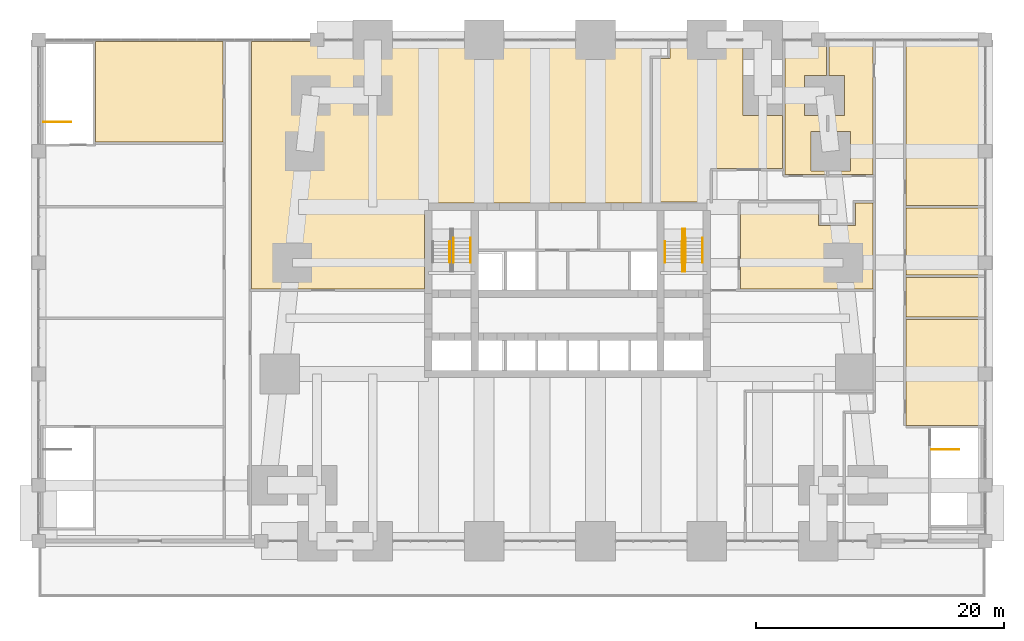
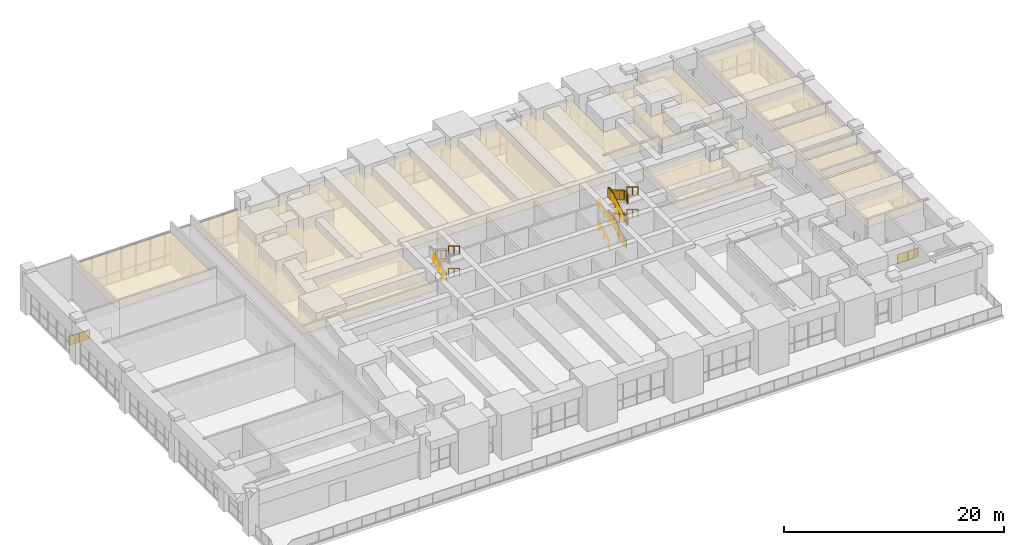
# One storey, part 22 of 22: 19 railings, 10 coverings.
"""IFC4 building model written with IfcOpenShell, lengths in metres."""

from ifc_helpers import new_model, si_unit, direction, frame, origin, origin_2d, place, context, subcontext, project, spatial, polyline, circle, outline, extrude, material, layer, layer_set, type_object, element, save


model = new_model("IFC4")

# Units and contexts
model_context = context("Model", 3, precision=1e-05, world=origin(), true_north=direction((0.0, 1.0)))
body_context = subcontext(model_context, "Body", "Model", "MODEL_VIEW")
ifc_project = project(units=[si_unit("LENGTHUNIT", "METRE"), si_unit("AREAUNIT", "SQUARE_METRE"), si_unit("VOLUMEUNIT", "CUBIC_METRE"), si_unit("PLANEANGLEUNIT", "RADIAN"), si_unit("MASSUNIT", "GRAM", prefix="KILO")], contexts=[model_context])

# Site, building, storey
site_placement = place(None, origin())
site = spatial("IfcSite", under=ifc_project, at=site_placement, CompositionType="ELEMENT")
building_placement = place(site_placement, origin())
building = spatial("IfcBuilding", under=site, at=building_placement, Name="Kilele Tower Hotel", CompositionType="ELEMENT")
storey_placement = place(building_placement, frame((0.0, 0.0, 19.0)))
storey = spatial("IfcBuildingStorey", under=building, at=storey_placement, Name="L03", CompositionType="ELEMENT", Elevation=19.0)

# Railings
ifc_material_1 = material(Name="Steel handrail", Category="steel")
railing_type_1 = type_object("IfcRailingType", Name="Handrail 900", PredefinedType="HANDRAIL", material=ifc_material_1)
for number, where, name in (
    (1, (15.52490234375, 24.47998046875, 1.333251953125), "Handrail ST1 flight 2"),
    (2, (16.89990234375, 24.47998046875, 1.333251953125), "Handrail ST1 flight 2"),
):
    element("IfcRailing", number, at=place(storey_placement, frame(where)), inside=storey, type_object=railing_type_1, Name=name, PredefinedType="HANDRAIL", context=body_context, shape_type="SweptSolid", body=[
        extrude(circle(Radius=0.02490234375, at=origin_2d()), frame((0.0, 0.0, 0.875), z_axis=(0.0, -0.859272722373, 0.511517730471), x_axis=(1.0, 0.0, 0.0)), (0.0, 0.0, 1.0), 2.281005859375),
        extrude(circle(Radius=0.02001953125, at=origin_2d()), origin(), (0.0, 0.0, 1.0), 0.849853515625),
        extrude(circle(Radius=0.02001953125, at=origin_2d()), frame((0.0, -0.97998046875, 0.58349609375)), (0.0, 0.0, 1.0), 0.849853515625),
        extrude(circle(Radius=0.02001953125, at=origin_2d()), frame((0.0, -1.9599609375, 1.166748046875)), (0.0, 0.0, 1.0), 0.849853515625),
    ])
railing_1_placement = place(storey_placement, frame((15.22509765625, 22.52001953125, 2.666748046875)))
element("IfcRailing", 3, at=railing_1_placement, inside=storey, type_object=railing_type_1, Name="Handrail ST1 flight 3", PredefinedType="HANDRAIL", context=body_context, shape_type="SweptSolid", body=[
    extrude(circle(Radius=0.02490234375, at=origin_2d()), frame((0.0, 0.0, 0.875), z_axis=(0.0, 0.859283736677, 0.511499227646), x_axis=(-1.0, 0.0, 0.0)), (0.0, 0.0, 1.0), 1.955078125),
    extrude(circle(Radius=0.02001953125, at=origin_2d()), origin(), (0.0, 0.0, 1.0), 0.849853515625),
    extrude(circle(Radius=0.02001953125, at=origin_2d()), frame((0.0, 0.83984375, 0.5)), (0.0, 0.0, 1.0), 0.849853515625),
    extrude(circle(Radius=0.02001953125, at=origin_2d()), frame((0.0, 1.679931640625, 1.0)), (0.0, 0.0, 1.0), 0.849853515625),
])
for number, where, name in (
    (4, (15.52490234375, 24.47998046875, 3.833251953125), "Handrail ST1 flight 4"),
    (5, (16.89990234375, 24.47998046875, 3.833251953125), "Handrail ST1 flight 4"),
):
    element("IfcRailing", number, at=place(storey_placement, frame(where)), inside=storey, type_object=railing_type_1, Name=name, PredefinedType="HANDRAIL", context=body_context, shape_type="SweptSolid", body=[
        extrude(circle(Radius=0.02490234375, at=origin_2d()), frame((0.0, 0.0, 0.875), z_axis=(0.0, -0.859272722373, 0.511517730471), x_axis=(1.0, 0.0, 0.0)), (0.0, 0.0, 1.0), 2.281005859375),
        extrude(circle(Radius=0.02001953125, at=origin_2d()), origin(), (0.0, 0.0, 1.0), 0.849853515625),
        extrude(circle(Radius=0.02001953125, at=origin_2d()), frame((0.0, -0.97998046875, 0.58349609375)), (0.0, 0.0, 1.0), 0.849853515625),
        extrude(circle(Radius=0.02001953125, at=origin_2d()), frame((0.0, -1.9599609375, 1.166748046875)), (0.0, 0.0, 1.0), 0.849853515625),
    ])
for number, where, name in (
    (6, (32.60009765625, 22.52001953125, 0.166748046875), "Handrail ST2 flight 1"),
    (7, (33.97509765625, 22.52001953125, 0.166748046875), "Handrail ST2 flight 1"),
):
    element("IfcRailing", number, at=place(storey_placement, frame(where)), inside=storey, type_object=railing_type_1, Name=name, PredefinedType="HANDRAIL", context=body_context, shape_type="SweptSolid", body=[
        extrude(circle(Radius=0.02490234375, at=origin_2d()), frame((0.0, 0.0, 0.875), z_axis=(0.0, 0.859283736677, 0.511499227646), x_axis=(-1.0, 0.0, 0.0)), (0.0, 0.0, 1.0), 1.955078125),
        extrude(circle(Radius=0.02001953125, at=origin_2d()), origin(), (0.0, 0.0, 1.0), 0.849853515625),
        extrude(circle(Radius=0.02001953125, at=origin_2d()), frame((0.0, 0.83984375, 0.5)), (0.0, 0.0, 1.0), 0.849853515625),
        extrude(circle(Radius=0.02001953125, at=origin_2d()), frame((0.0, 1.679931640625, 1.0)), (0.0, 0.0, 1.0), 0.849853515625),
    ])
for number, where, name in (
    (8, (34.27490234375, 24.47998046875, 1.333251953125), "Handrail ST2 flight 2"),
    (9, (35.64990234375, 24.47998046875, 1.333251953125), "Handrail ST2 flight 2"),
):
    element("IfcRailing", number, at=place(storey_placement, frame(where)), inside=storey, type_object=railing_type_1, Name=name, PredefinedType="HANDRAIL", context=body_context, shape_type="SweptSolid", body=[
        extrude(circle(Radius=0.02490234375, at=origin_2d()), frame((0.0, 0.0, 0.875), z_axis=(0.0, -0.859272722373, 0.511517730471), x_axis=(1.0, 0.0, 0.0)), (0.0, 0.0, 1.0), 2.281005859375),
        extrude(circle(Radius=0.02001953125, at=origin_2d()), origin(), (0.0, 0.0, 1.0), 0.849853515625),
        extrude(circle(Radius=0.02001953125, at=origin_2d()), frame((0.0, -0.97998046875, 0.58349609375)), (0.0, 0.0, 1.0), 0.849853515625),
        extrude(circle(Radius=0.02001953125, at=origin_2d()), frame((0.0, -1.9599609375, 1.166748046875)), (0.0, 0.0, 1.0), 0.849853515625),
    ])
for number, where, name in (
    (10, (32.60009765625, 22.52001953125, 2.666748046875), "Handrail ST2 flight 3"),
    (11, (33.97509765625, 22.52001953125, 2.666748046875), "Handrail ST2 flight 3"),
):
    element("IfcRailing", number, at=place(storey_placement, frame(where)), inside=storey, type_object=railing_type_1, Name=name, PredefinedType="HANDRAIL", context=body_context, shape_type="SweptSolid", body=[
        extrude(circle(Radius=0.02490234375, at=origin_2d()), frame((0.0, 0.0, 0.875), z_axis=(0.0, 0.859283736677, 0.511499227646), x_axis=(-1.0, 0.0, 0.0)), (0.0, 0.0, 1.0), 1.955078125),
        extrude(circle(Radius=0.02001953125, at=origin_2d()), origin(), (0.0, 0.0, 1.0), 0.849853515625),
        extrude(circle(Radius=0.02001953125, at=origin_2d()), frame((0.0, 0.83984375, 0.5)), (0.0, 0.0, 1.0), 0.849853515625),
        extrude(circle(Radius=0.02001953125, at=origin_2d()), frame((0.0, 1.679931640625, 1.0)), (0.0, 0.0, 1.0), 0.849853515625),
    ])
for number, where, name in (
    (12, (34.27490234375, 24.47998046875, 3.833251953125), "Handrail ST2 flight 4"),
    (13, (35.64990234375, 24.47998046875, 3.833251953125), "Handrail ST2 flight 4"),
):
    element("IfcRailing", number, at=place(storey_placement, frame(where)), inside=storey, type_object=railing_type_1, Name=name, PredefinedType="HANDRAIL", context=body_context, shape_type="SweptSolid", body=[
        extrude(circle(Radius=0.02490234375, at=origin_2d()), frame((0.0, 0.0, 0.875), z_axis=(0.0, -0.859272722373, 0.511517730471), x_axis=(1.0, 0.0, 0.0)), (0.0, 0.0, 1.0), 2.281005859375),
        extrude(circle(Radius=0.02001953125, at=origin_2d()), origin(), (0.0, 0.0, 1.0), 0.849853515625),
        extrude(circle(Radius=0.02001953125, at=origin_2d()), frame((0.0, -0.97998046875, 0.58349609375)), (0.0, 0.0, 1.0), 0.849853515625),
        extrude(circle(Radius=0.02001953125, at=origin_2d()), frame((0.0, -1.9599609375, 1.166748046875)), (0.0, 0.0, 1.0), 0.849853515625),
    ])
ifc_material_2 = material(Name="Steel guard", Category="steel")
railing_type_2 = type_object("IfcRailingType", Name="Stair guard 1100", PredefinedType="GUARDRAIL", material=ifc_material_2)
for number, where, name in (
    (14, (-17.60009765625, 33.85009765625, 0.0), "Stair guard ST3"),
    (15, (54.14990234375, 7.39990234375, 0.0), "Stair guard ST5"),
):
    element("IfcRailing", number, at=place(storey_placement, frame(where)), inside=storey, type_object=railing_type_2, Name=name, PredefinedType="GUARDRAIL", context=body_context, shape_type="SweptSolid", body=[
        extrude(circle(Radius=0.02490234375, at=origin_2d()), frame((0.0, 0.0, 1.0751953125), z_axis=(1.0, 0.0, 0.0), x_axis=(0.0, 1.0, 0.0)), (0.0, 0.0, 1.0), 2.2001953125),
        extrude(circle(Radius=0.02490234375, at=origin_2d()), origin(), (0.0, 0.0, 1.0), 1.050048828125),
        extrude(circle(Radius=0.02490234375, at=origin_2d()), frame((1.10009765625, 0.0, 0.0)), (0.0, 0.0, 1.0), 1.050048828125),
        extrude(circle(Radius=0.02490234375, at=origin_2d()), frame((2.2001953125, 0.0, 0.0)), (0.0, 0.0, 1.0), 1.050048828125),
        extrude(outline(polyline([(0.0, 0.030029296875), (2.2001953125, 0.030029296875), (2.2001953125, 1.050048828125), (0.0, 1.050048828125), (0.0, 0.030029296875)])), frame((0.0, 0.005859375, 0.0), z_axis=(0.0, -1.0, 0.0), x_axis=(1.0, 0.0, 0.0)), (0.0, 0.0, 1.0), 0.011962890625),
    ])
railing_2_placement = place(storey_placement, frame((34.034912109375, 21.77490234375, 0.0)))
element("IfcRailing", 16, at=railing_2_placement, inside=storey, type_object=railing_type_2, Name="Stair well guard ST2 flight 1", PredefinedType="GUARDRAIL", context=body_context, shape_type="SweptSolid", body=[
    extrude(circle(Radius=0.02490234375, at=origin_2d()), frame((0.0, 0.0, 1.0751953125), z_axis=(0.0, 1.0, 0.0), x_axis=(-1.0, 0.0, 0.0)), (0.0, 0.0, 1.0), 0.465087890625),
    extrude(circle(Radius=0.02490234375, at=origin_2d()), frame((0.0, 0.465087890625, 1.0751953125), z_axis=(0.0, 0.859272722373, 0.511517730471), x_axis=(-1.0, 0.0, 0.0)), (0.0, 0.0, 1.0), 2.281005859375),
    extrude(circle(Radius=0.02490234375, at=origin_2d()), frame((0.0, 2.425048828125, 2.24169921875), z_axis=(0.0, 1.0, 0.0), x_axis=(-1.0, 0.0, 0.0)), (0.0, 0.0, 1.0), 1.025146484375),
    extrude(circle(Radius=0.02490234375, at=origin_2d()), frame((0.0, 3.4501953125, 2.24169921875), z_axis=(1.0, 0.0, 0.0), x_axis=(0.0, 1.0, 0.0)), (0.0, 0.0, 1.0), 0.18017578125),
    extrude(circle(Radius=0.02490234375, at=origin_2d()), origin(), (0.0, 0.0, 1.0), 1.050048828125),
    extrude(circle(Radius=0.02490234375, at=origin_2d()), frame((0.0, 0.465087890625, 0.0)), (0.0, 0.0, 1.0), 1.050048828125),
    extrude(circle(Radius=0.02490234375, at=origin_2d()), frame((0.0, 1.445068359375, 0.58349609375)), (0.0, 0.0, 1.0), 1.050048828125),
    extrude(circle(Radius=0.02490234375, at=origin_2d()), frame((0.0, 2.425048828125, 1.166748046875)), (0.0, 0.0, 1.0), 1.050048828125),
    extrude(circle(Radius=0.02490234375, at=origin_2d()), frame((0.0, 3.4501953125, 1.166748046875)), (0.0, 0.0, 1.0), 1.050048828125),
    extrude(circle(Radius=0.02490234375, at=origin_2d()), frame((0.18017578125, 3.4501953125, 1.166748046875)), (0.0, 0.0, 1.0), 1.050048828125),
    extrude(outline(polyline([(0.0, 0.030029296875), (0.45263671875, 0.030029296875), (0.45263671875, 1.050048828125), (0.0, 1.050048828125), (0.0, 0.030029296875)])), frame((-0.005859375, 0.0, 0.0), z_axis=(1.0, 0.0, 0.0), x_axis=(0.0, 1.0, 0.0)), (0.0, 0.0, 1.0), 0.011962890625),
    extrude(outline(polyline([(0.012451171875, 0.030029296875), (0.25, 0.030029296875), (0.25, 0.19677734375), (0.530029296875, 0.19677734375), (0.530029296875, 0.36328125), (0.81005859375, 0.36328125), (0.81005859375, 0.530029296875), (1.08984375, 0.530029296875), (1.08984375, 0.69677734375), (1.369873046875, 0.69677734375), (1.369873046875, 0.863525390625), (1.64990234375, 0.863525390625), (1.64990234375, 1.030029296875), (1.929931640625, 1.030029296875), (1.929931640625, 1.19677734375), (1.947509765625, 1.19677734375), (1.947509765625, 2.205322265625), (0.012451171875, 1.053466796875), (0.012451171875, 0.030029296875)])), frame((-0.005859375, 0.465087890625, 0.0), z_axis=(1.0, 0.0, 0.0), x_axis=(0.0, 1.0, 0.0)), (0.0, 0.0, 1.0), 0.011962890625),
    extrude(outline(polyline([(0.012451171875, 0.030029296875), (1.0126953125, 0.030029296875), (1.0126953125, 1.050048828125), (0.012451171875, 1.050048828125), (0.012451171875, 0.030029296875)])), frame((-0.005859375, 2.425048828125, 1.166748046875), z_axis=(1.0, 0.0, 0.0), x_axis=(0.0, 1.0, 0.0)), (0.0, 0.0, 1.0), 0.011962890625),
    extrude(outline(polyline([(0.012451171875, 0.030029296875), (0.18017578125, 0.030029296875), (0.18017578125, 1.050048828125), (0.012451171875, 1.050048828125), (0.012451171875, 0.030029296875)])), frame((0.0, 3.4560546875, 1.166748046875), z_axis=(0.0, -1.0, 0.0), x_axis=(1.0, 0.0, 0.0)), (0.0, 0.0, 1.0), 0.011962890625),
])
railing_3_placement = place(storey_placement, frame((34.215087890625, 25.22509765625, 1.166748046875)))
element("IfcRailing", 17, at=railing_3_placement, inside=storey, type_object=railing_type_2, Name="Stair well guard ST2 flight 2", PredefinedType="GUARDRAIL", context=body_context, shape_type="SweptSolid", body=[
    extrude(circle(Radius=0.02490234375, at=origin_2d()), frame((0.0, 0.0, 1.0751953125), z_axis=(0.0, -1.0, 0.0), x_axis=(1.0, 0.0, 0.0)), (0.0, 0.0, 1.0), 0.465087890625),
    extrude(circle(Radius=0.02490234375, at=origin_2d()), frame((0.0, -0.465087890625, 1.0751953125), z_axis=(0.0, -0.859305625298, 0.511462454469), x_axis=(1.0, 0.0, 0.0)), (0.0, 0.0, 1.0), 2.606689453125),
    extrude(circle(Radius=0.02490234375, at=origin_2d()), frame((0.0, -2.705078125, 2.408203125), z_axis=(0.0, -1.0, 0.0), x_axis=(1.0, 0.0, 0.0)), (0.0, 0.0, 1.0), 0.7451171875),
    extrude(circle(Radius=0.02490234375, at=origin_2d()), frame((0.0, -3.4501953125, 2.408203125), z_axis=(-1.0, 0.0, 0.0), x_axis=(0.0, -1.0, 0.0)), (0.0, 0.0, 1.0), 0.18017578125),
    extrude(circle(Radius=0.02490234375, at=origin_2d()), origin(), (0.0, 0.0, 1.0), 1.050048828125),
    extrude(circle(Radius=0.02490234375, at=origin_2d()), frame((0.0, -0.465087890625, 0.0)), (0.0, 0.0, 1.0), 1.050048828125),
    extrude(circle(Radius=0.02490234375, at=origin_2d()), frame((0.0, -1.211669921875, 0.4443359375)), (0.0, 0.0, 1.0), 1.050048828125),
    extrude(circle(Radius=0.02490234375, at=origin_2d()), frame((0.0, -1.95849609375, 0.888916015625)), (0.0, 0.0, 1.0), 1.050048828125),
    extrude(circle(Radius=0.02490234375, at=origin_2d()), frame((0.0, -2.705078125, 1.333251953125)), (0.0, 0.0, 1.0), 1.050048828125),
    extrude(circle(Radius=0.02490234375, at=origin_2d()), frame((0.0, -3.4501953125, 1.333251953125)), (0.0, 0.0, 1.0), 1.050048828125),
    extrude(circle(Radius=0.02490234375, at=origin_2d()), frame((-0.18017578125, -3.4501953125, 1.333251953125)), (0.0, 0.0, 1.0), 1.050048828125),
    extrude(outline(polyline([(0.0, 0.030029296875), (0.45263671875, 0.030029296875), (0.45263671875, 1.050048828125), (0.0, 1.050048828125), (0.0, 0.030029296875)])), frame((0.005859375, 0.0, 0.0), z_axis=(-1.0, 0.0, 0.0), x_axis=(0.0, -1.0, 0.0)), (0.0, 0.0, 1.0), 0.011962890625),
    extrude(outline(polyline([(0.012451171875, 0.030029296875), (0.25, 0.030029296875), (0.25, 0.19677734375), (0.530029296875, 0.19677734375), (0.530029296875, 0.36328125), (0.81005859375, 0.36328125), (0.81005859375, 0.530029296875), (1.08984375, 0.530029296875), (1.08984375, 0.69677734375), (1.369873046875, 0.69677734375), (1.369873046875, 0.86328125), (1.64990234375, 0.86328125), (1.64990234375, 1.030029296875), (1.929931640625, 1.030029296875), (1.929931640625, 1.196533203125), (2.2099609375, 1.196533203125), (2.2099609375, 1.36328125), (2.2275390625, 1.36328125), (2.2275390625, 2.371826171875), (0.012451171875, 1.053466796875), (0.012451171875, 0.030029296875)])), frame((0.005859375, -0.465087890625, 0.0), z_axis=(-1.0, 0.0, 0.0), x_axis=(0.0, -1.0, 0.0)), (0.0, 0.0, 1.0), 0.011962890625),
    extrude(outline(polyline([(0.012451171875, 0.030029296875), (0.732666015625, 0.030029296875), (0.732666015625, 1.050048828125), (0.012451171875, 1.050048828125), (0.012451171875, 0.030029296875)])), frame((0.005859375, -2.705078125, 1.333251953125), z_axis=(-1.0, 0.0, 0.0), x_axis=(0.0, -1.0, 0.0)), (0.0, 0.0, 1.0), 0.011962890625),
    extrude(outline(polyline([(0.012451171875, 0.030029296875), (0.18017578125, 0.030029296875), (0.18017578125, 1.050048828125), (0.012451171875, 1.050048828125), (0.012451171875, 0.030029296875)])), frame((0.0, -3.4560546875, 1.333251953125), z_axis=(0.0, 1.0, 0.0), x_axis=(-1.0, 0.0, 0.0)), (0.0, 0.0, 1.0), 0.011962890625),
])
railing_4_placement = place(storey_placement, frame((34.034912109375, 21.77490234375, 2.5)))
element("IfcRailing", 18, at=railing_4_placement, inside=storey, type_object=railing_type_2, Name="Stair well guard ST2 flight 3", PredefinedType="GUARDRAIL", context=body_context, shape_type="SweptSolid", body=[
    extrude(circle(Radius=0.02490234375, at=origin_2d()), frame((0.0, 0.0, 1.0751953125), z_axis=(0.0, 1.0, 0.0), x_axis=(-1.0, 0.0, 0.0)), (0.0, 0.0, 1.0), 0.465087890625),
    extrude(circle(Radius=0.02490234375, at=origin_2d()), frame((0.0, 0.465087890625, 1.0751953125), z_axis=(0.0, 0.859272722373, 0.511517730471), x_axis=(-1.0, 0.0, 0.0)), (0.0, 0.0, 1.0), 2.281005859375),
    extrude(circle(Radius=0.02490234375, at=origin_2d()), frame((0.0, 2.425048828125, 2.24169921875), z_axis=(0.0, 1.0, 0.0), x_axis=(-1.0, 0.0, 0.0)), (0.0, 0.0, 1.0), 1.025146484375),
    extrude(circle(Radius=0.02490234375, at=origin_2d()), frame((0.0, 3.4501953125, 2.24169921875), z_axis=(1.0, 0.0, 0.0), x_axis=(0.0, 1.0, 0.0)), (0.0, 0.0, 1.0), 0.18017578125),
    extrude(circle(Radius=0.02490234375, at=origin_2d()), origin(), (0.0, 0.0, 1.0), 1.050048828125),
    extrude(circle(Radius=0.02490234375, at=origin_2d()), frame((0.0, 0.465087890625, 0.0)), (0.0, 0.0, 1.0), 1.050048828125),
    extrude(circle(Radius=0.02490234375, at=origin_2d()), frame((0.0, 1.445068359375, 0.58349609375)), (0.0, 0.0, 1.0), 1.050048828125),
    extrude(circle(Radius=0.02490234375, at=origin_2d()), frame((0.0, 2.425048828125, 1.166748046875)), (0.0, 0.0, 1.0), 1.050048828125),
    extrude(circle(Radius=0.02490234375, at=origin_2d()), frame((0.0, 3.4501953125, 1.166748046875)), (0.0, 0.0, 1.0), 1.050048828125),
    extrude(circle(Radius=0.02490234375, at=origin_2d()), frame((0.18017578125, 3.4501953125, 1.166748046875)), (0.0, 0.0, 1.0), 1.050048828125),
    extrude(outline(polyline([(0.0, 0.030029296875), (0.45263671875, 0.030029296875), (0.45263671875, 1.050048828125), (0.0, 1.050048828125), (0.0, 0.030029296875)])), frame((-0.005859375, 0.0, 0.0), z_axis=(1.0, 0.0, 0.0), x_axis=(0.0, 1.0, 0.0)), (0.0, 0.0, 1.0), 0.011962890625),
    extrude(outline(polyline([(0.012451171875, 0.030029296875), (0.25, 0.030029296875), (0.25, 0.19677734375), (0.530029296875, 0.19677734375), (0.530029296875, 0.36328125), (0.81005859375, 0.36328125), (0.81005859375, 0.530029296875), (1.08984375, 0.530029296875), (1.08984375, 0.69677734375), (1.369873046875, 0.69677734375), (1.369873046875, 0.863525390625), (1.64990234375, 0.863525390625), (1.64990234375, 1.030029296875), (1.929931640625, 1.030029296875), (1.929931640625, 1.19677734375), (1.947509765625, 1.19677734375), (1.947509765625, 2.205322265625), (0.012451171875, 1.053466796875), (0.012451171875, 0.030029296875)])), frame((-0.005859375, 0.465087890625, 0.0), z_axis=(1.0, 0.0, 0.0), x_axis=(0.0, 1.0, 0.0)), (0.0, 0.0, 1.0), 0.011962890625),
    extrude(outline(polyline([(0.012451171875, 0.030029296875), (1.0126953125, 0.030029296875), (1.0126953125, 1.050048828125), (0.012451171875, 1.050048828125), (0.012451171875, 0.030029296875)])), frame((-0.005859375, 2.425048828125, 1.166748046875), z_axis=(1.0, 0.0, 0.0), x_axis=(0.0, 1.0, 0.0)), (0.0, 0.0, 1.0), 0.011962890625),
    extrude(outline(polyline([(0.012451171875, 0.030029296875), (0.18017578125, 0.030029296875), (0.18017578125, 1.050048828125), (0.012451171875, 1.050048828125), (0.012451171875, 0.030029296875)])), frame((0.0, 3.4560546875, 1.166748046875), z_axis=(0.0, -1.0, 0.0), x_axis=(1.0, 0.0, 0.0)), (0.0, 0.0, 1.0), 0.011962890625),
])
railing_5_placement = place(storey_placement, frame((34.215087890625, 25.22509765625, 3.666748046875)))
element("IfcRailing", 19, at=railing_5_placement, inside=storey, type_object=railing_type_2, Name="Stair well guard ST2 flight 4", PredefinedType="GUARDRAIL", context=body_context, shape_type="SweptSolid", body=[
    extrude(circle(Radius=0.02490234375, at=origin_2d()), frame((0.0, 0.0, 1.0751953125), z_axis=(0.0, -1.0, 0.0), x_axis=(1.0, 0.0, 0.0)), (0.0, 0.0, 1.0), 0.465087890625),
    extrude(circle(Radius=0.02490234375, at=origin_2d()), frame((0.0, -0.465087890625, 1.0751953125), z_axis=(0.0, -0.859305625298, 0.511462454469), x_axis=(1.0, 0.0, 0.0)), (0.0, 0.0, 1.0), 2.606689453125),
    extrude(circle(Radius=0.02490234375, at=origin_2d()), frame((0.0, -2.705078125, 2.408203125), z_axis=(0.0, -1.0, 0.0), x_axis=(1.0, 0.0, 0.0)), (0.0, 0.0, 1.0), 0.7451171875),
    extrude(circle(Radius=0.02490234375, at=origin_2d()), frame((0.0, -3.4501953125, 2.408203125), z_axis=(-1.0, 0.0, 0.0), x_axis=(0.0, -1.0, 0.0)), (0.0, 0.0, 1.0), 0.18017578125),
    extrude(circle(Radius=0.02490234375, at=origin_2d()), origin(), (0.0, 0.0, 1.0), 1.050048828125),
    extrude(circle(Radius=0.02490234375, at=origin_2d()), frame((0.0, -0.465087890625, 0.0)), (0.0, 0.0, 1.0), 1.050048828125),
    extrude(circle(Radius=0.02490234375, at=origin_2d()), frame((0.0, -1.211669921875, 0.4443359375)), (0.0, 0.0, 1.0), 1.050048828125),
    extrude(circle(Radius=0.02490234375, at=origin_2d()), frame((0.0, -1.95849609375, 0.888916015625)), (0.0, 0.0, 1.0), 1.050048828125),
    extrude(circle(Radius=0.02490234375, at=origin_2d()), frame((0.0, -2.705078125, 1.333251953125)), (0.0, 0.0, 1.0), 1.050048828125),
    extrude(circle(Radius=0.02490234375, at=origin_2d()), frame((0.0, -3.4501953125, 1.333251953125)), (0.0, 0.0, 1.0), 1.050048828125),
    extrude(circle(Radius=0.02490234375, at=origin_2d()), frame((-0.18017578125, -3.4501953125, 1.333251953125)), (0.0, 0.0, 1.0), 1.050048828125),
    extrude(outline(polyline([(0.0, 0.030029296875), (0.45263671875, 0.030029296875), (0.45263671875, 1.050048828125), (0.0, 1.050048828125), (0.0, 0.030029296875)])), frame((0.005859375, 0.0, 0.0), z_axis=(-1.0, 0.0, 0.0), x_axis=(0.0, -1.0, 0.0)), (0.0, 0.0, 1.0), 0.011962890625),
    extrude(outline(polyline([(0.012451171875, 0.030029296875), (0.25, 0.030029296875), (0.25, 0.19677734375), (0.530029296875, 0.19677734375), (0.530029296875, 0.36328125), (0.81005859375, 0.36328125), (0.81005859375, 0.530029296875), (1.08984375, 0.530029296875), (1.08984375, 0.69677734375), (1.369873046875, 0.69677734375), (1.369873046875, 0.86328125), (1.64990234375, 0.86328125), (1.64990234375, 1.030029296875), (1.929931640625, 1.030029296875), (1.929931640625, 1.196533203125), (2.2099609375, 1.196533203125), (2.2099609375, 1.36328125), (2.2275390625, 1.36328125), (2.2275390625, 2.371826171875), (0.012451171875, 1.053466796875), (0.012451171875, 0.030029296875)])), frame((0.005859375, -0.465087890625, 0.0), z_axis=(-1.0, 0.0, 0.0), x_axis=(0.0, -1.0, 0.0)), (0.0, 0.0, 1.0), 0.011962890625),
    extrude(outline(polyline([(0.012451171875, 0.030029296875), (0.732666015625, 0.030029296875), (0.732666015625, 1.050048828125), (0.012451171875, 1.050048828125), (0.012451171875, 0.030029296875)])), frame((0.005859375, -2.705078125, 1.333251953125), z_axis=(-1.0, 0.0, 0.0), x_axis=(0.0, -1.0, 0.0)), (0.0, 0.0, 1.0), 0.011962890625),
    extrude(outline(polyline([(0.012451171875, 0.030029296875), (0.18017578125, 0.030029296875), (0.18017578125, 1.050048828125), (0.012451171875, 1.050048828125), (0.012451171875, 0.030029296875)])), frame((0.0, -3.4560546875, 1.333251953125), z_axis=(0.0, 1.0, 0.0), x_axis=(-1.0, 0.0, 0.0)), (0.0, 0.0, 1.0), 0.011962890625),
])

# Coverings
ifc_material_3 = material(Name="Gypsum board suspended ceiling", Category="gypsum")
ifc_layer = layer(ifc_material_3, 0.02490234375)
ifc_layer_set = layer_set([ifc_layer], Name="Gypsum board suspended ceiling")
covering_type = type_object("IfcCoveringType", Name="Suspended ceiling 25", PredefinedType="CEILING", material=ifc_layer_set)
covering_1_placement = place(storey_placement, frame((0.0, 0.0, 3.60009765625)))
element("IfcCovering", 20, at=covering_1_placement, inside=storey, type_object=covering_type, Name="Suspended ceiling Meeting room 4", PredefinedType="CEILING", context=body_context, shape_type="SweptSolid", body=[
    extrude(outline(polyline([(-3.10009765625, 32.25), (-13.39990234375, 32.25), (-13.39990234375, 40.35009765625), (-3.10009765625, 40.35009765625), (-3.10009765625, 32.25)])), origin(), (0.0, 0.0, 1.0), 0.02490234375),
])
covering_2_placement = place(storey_placement, frame((0.0, 0.0, 3.60009765625)))
element("IfcCovering", 21, at=covering_2_placement, inside=storey, type_object=covering_type, Name="Suspended ceiling Hotel executive offices", PredefinedType="CEILING", context=body_context, shape_type="SweptSolid", body=[
    extrude(outline(polyline([(-0.800048828125, 40.35009765625), (31.39990234375, 40.35009765625), (31.39990234375, 27.300048828125), (13.199951171875, 27.300048828125), (13.199951171875, 20.35009765625), (-0.800048828125, 20.35009765625), (-0.800048828125, 40.35009765625)])), origin(), (0.0, 0.0, 1.0), 0.02490234375),
])
covering_3_placement = place(storey_placement, frame((0.0, 0.0, 3.60009765625)))
element("IfcCovering", 22, at=covering_3_placement, inside=storey, type_object=covering_type, Name="Suspended ceiling Business centre", PredefinedType="CEILING", context=body_context, shape_type="SweptSolid", body=[
    extrude(outline(polyline([(49.39990234375, 27.300048828125), (49.39990234375, 20.35009765625), (38.699951171875, 20.35009765625), (38.699951171875, 27.300048828125), (45.0, 27.300048828125), (45.0, 25.5), (48.0, 25.5), (48.0, 27.300048828125), (49.39990234375, 27.300048828125)])), origin(), (0.0, 0.0, 1.0), 0.02490234375),
])
covering_4_placement = place(storey_placement, frame((0.0, 0.0, 3.60009765625)))
element("IfcCovering", 23, at=covering_4_placement, inside=storey, type_object=covering_type, Name="Suspended ceiling Executive boardroom", PredefinedType="CEILING", context=body_context, shape_type="SweptSolid", body=[
    extrude(outline(polyline([(31.60009765625, 27.39990234375), (31.60009765625, 39.0), (33.0, 39.0), (33.0, 40.35009765625), (38.89990234375, 40.35009765625), (38.89990234375, 34.39990234375), (42.10009765625, 34.39990234375), (42.10009765625, 30.10009765625), (36.300048828125, 30.10009765625), (36.300048828125, 27.39990234375), (31.60009765625, 27.39990234375)])), origin(), (0.0, 0.0, 1.0), 0.02490234375),
])
covering_5_placement = place(storey_placement, frame((0.0, 0.0, 3.60009765625)))
element("IfcCovering", 24, at=covering_5_placement, inside=storey, type_object=covering_type, Name="Suspended ceiling Meeting room 6", PredefinedType="CEILING", context=body_context, shape_type="SweptSolid", body=[
    extrude(outline(polyline([(45.64990234375, 29.60009765625), (42.300048828125, 29.60009765625), (42.300048828125, 40.35009765625), (44.449951171875, 40.35009765625), (44.449951171875, 39.949951171875), (45.550048828125, 39.949951171875), (45.550048828125, 40.35009765625), (45.64990234375, 40.35009765625), (45.64990234375, 37.60009765625), (43.89990234375, 37.60009765625), (43.89990234375, 34.39990234375), (45.64990234375, 34.39990234375), (45.64990234375, 33.10009765625), (44.39990234375, 33.10009765625), (44.39990234375, 29.89990234375), (45.64990234375, 29.89990234375), (45.64990234375, 29.60009765625)])), origin(), (0.0, 0.0, 1.0), 0.02490234375),
])
covering_6_placement = place(storey_placement, frame((0.0, 0.0, 3.60009765625)))
element("IfcCovering", 25, at=covering_6_placement, inside=storey, type_object=covering_type, Name="Suspended ceiling Meeting room 5", PredefinedType="CEILING", context=body_context, shape_type="SweptSolid", body=[
    extrude(outline(polyline([(45.85009765625, 40.35009765625), (49.39990234375, 40.35009765625), (49.39990234375, 29.60009765625), (45.85009765625, 29.60009765625), (45.85009765625, 29.89990234375), (47.60009765625, 29.89990234375), (47.60009765625, 33.10009765625), (45.85009765625, 33.10009765625), (45.85009765625, 34.39990234375), (47.10009765625, 34.39990234375), (47.10009765625, 37.60009765625), (45.85009765625, 37.60009765625), (45.85009765625, 40.35009765625)])), origin(), (0.0, 0.0, 1.0), 0.02490234375),
])
covering_7_placement = place(storey_placement, frame((0.0, 0.0, 3.60009765625)))
element("IfcCovering", 26, at=covering_7_placement, inside=storey, type_object=covering_type, Name="Suspended ceiling WC men", PredefinedType="CEILING", context=body_context, shape_type="SweptSolid", body=[
    extrude(outline(polyline([(58.35009765625, 9.35009765625), (52.10009765625, 9.35009765625), (52.10009765625, 17.89990234375), (58.35009765625, 17.89990234375), (58.35009765625, 9.35009765625)])), origin(), (0.0, 0.0, 1.0), 0.02490234375),
])
covering_8_placement = place(storey_placement, frame((0.0, 0.0, 3.60009765625)))
element("IfcCovering", 27, at=covering_8_placement, inside=storey, type_object=covering_type, Name="Suspended ceiling Accessible WC", PredefinedType="CEILING", context=body_context, shape_type="SweptSolid", body=[
    extrude(outline(polyline([(58.35009765625, 18.10009765625), (52.10009765625, 18.10009765625), (52.10009765625, 21.300048828125), (58.35009765625, 21.300048828125), (58.35009765625, 18.10009765625)])), origin(), (0.0, 0.0, 1.0), 0.02490234375),
])
covering_9_placement = place(storey_placement, frame((0.0, 0.0, 3.60009765625)))
element("IfcCovering", 28, at=covering_9_placement, inside=storey, type_object=covering_type, Name="Suspended ceiling WC women", PredefinedType="CEILING", context=body_context, shape_type="SweptSolid", body=[
    extrude(outline(polyline([(58.35009765625, 21.5), (52.10009765625, 21.5), (52.10009765625, 26.89990234375), (58.35009765625, 26.89990234375), (58.35009765625, 21.5)])), origin(), (0.0, 0.0, 1.0), 0.02490234375),
])
covering_10_placement = place(storey_placement, frame((0.0, 0.0, 3.60009765625)))
element("IfcCovering", 29, at=covering_10_placement, inside=storey, type_object=covering_type, Name="Suspended ceiling Administration office", PredefinedType="CEILING", context=body_context, shape_type="SweptSolid", body=[
    extrude(outline(polyline([(58.35009765625, 27.10009765625), (52.10009765625, 27.10009765625), (52.10009765625, 40.35009765625), (58.35009765625, 40.35009765625), (58.35009765625, 27.10009765625)])), origin(), (0.0, 0.0, 1.0), 0.02490234375),
])

save(model, "model.ifc")
